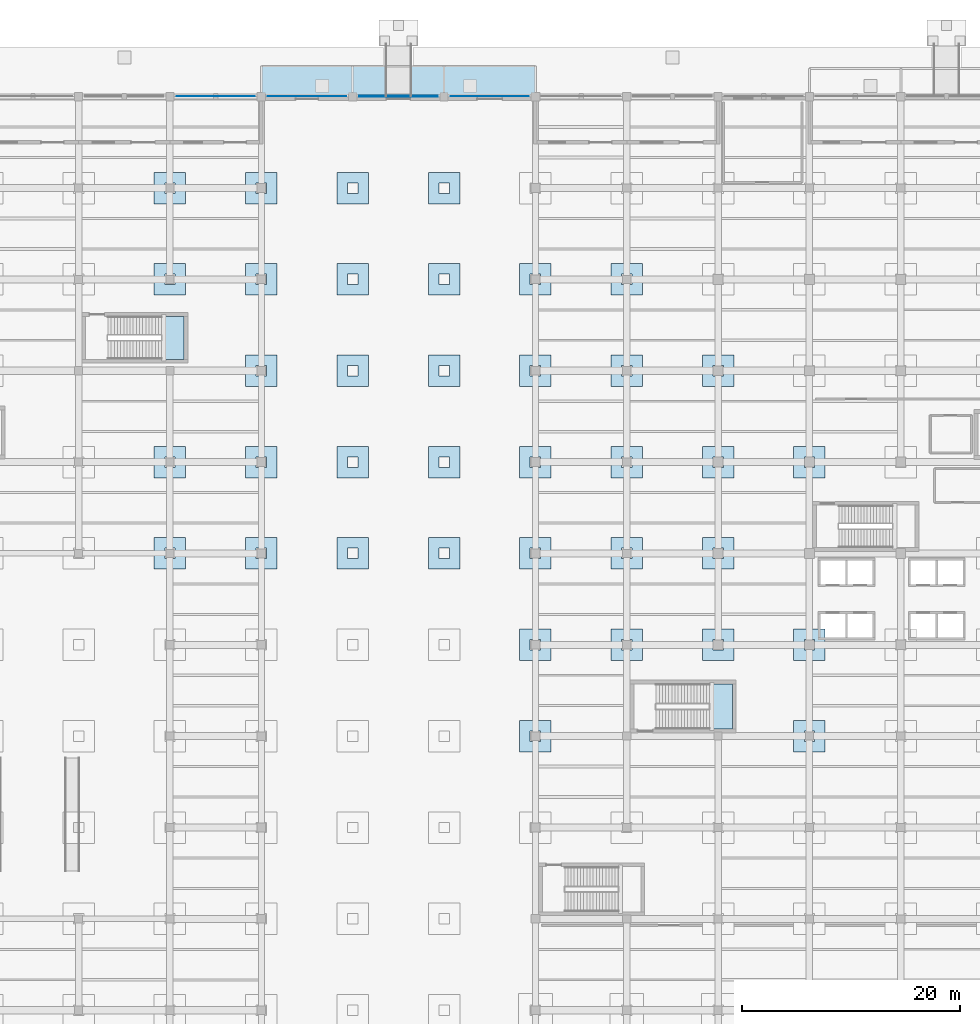
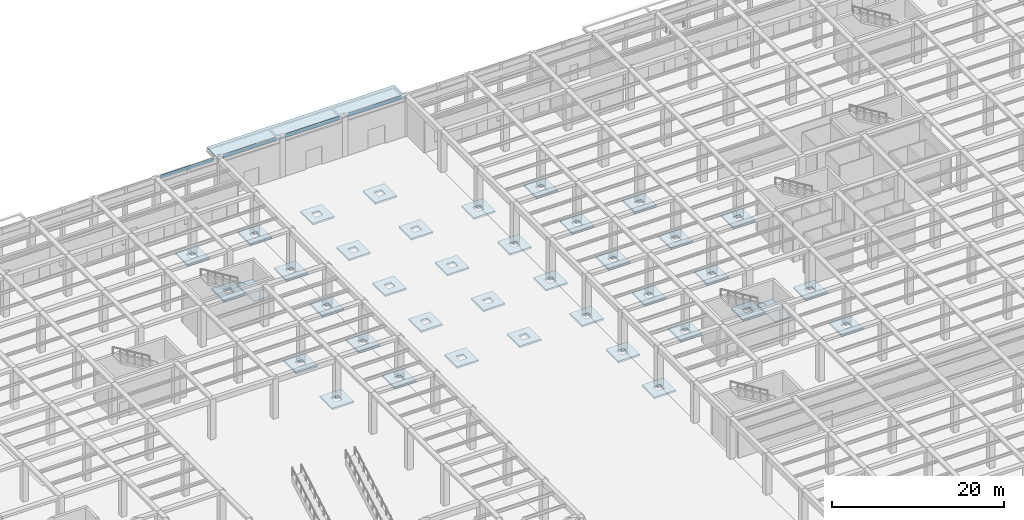
# One storey, part 19 of 43: 40 slabs, 4 plates, 3 elements without a shape of their own.
"""IFC4 building model written with IfcOpenShell, lengths in metres."""

from ifc_helpers import new_model, si_unit, direction, frame, origin, origin_2d, place, context, subcontext, project, spatial, polyline, rectangle, outline, extrude, material, layer, layer_set, type_object, element, aggregate, save


model = new_model("IFC4")

# Units and contexts
model_context = context("Model", 3, precision=1e-05, world=origin(), true_north=direction((0.0, 1.0)))
body_context = subcontext(model_context, "Body", "Model", "MODEL_VIEW")
ifc_project = project(units=[si_unit("LENGTHUNIT", "METRE"), si_unit("AREAUNIT", "SQUARE_METRE"), si_unit("VOLUMEUNIT", "CUBIC_METRE"), si_unit("PLANEANGLEUNIT", "RADIAN"), si_unit("MASSUNIT", "GRAM", prefix="KILO")], contexts=[model_context])

# Site, building, storey
site_placement = place(None, origin())
site = spatial("IfcSite", under=ifc_project, at=site_placement, CompositionType="ELEMENT")
building_placement = place(site_placement, origin())
building = spatial("IfcBuilding", under=site, at=building_placement, Name="Almacenes y Pasaje Nevantli", CompositionType="ELEMENT")
storey_placement = place(building_placement, origin())
storey = spatial("IfcBuildingStorey", under=building, at=storey_placement, Name="L01", CompositionType="ELEMENT", Elevation=0.0)

# Plates
ifc_material_1 = material(Name="Powder-Coated Aluminium Portal Fascia Plate", Category="aluminium")
ifc_layer_1 = layer(ifc_material_1, 0.01611328125)
ifc_layer_set_1 = layer_set([ifc_layer_1], Name="Powder-Coated Aluminium Portal Fascia Plate")
plate_type_1 = type_object("IfcPlateType", Name="PL-FAS-16", PredefinedType="SHEET", material=ifc_layer_set_1)
for number, where, z_axis, x_axis, name in (
    (1, (63.0, 117.639892578125, 5.1748046875), (0.0, 0.0, 1.0), (1.0, 0.0, 0.0), "Boulevard Portales Architectural Frieze Plate #8"),
    (2, (88.199951171875, 117.639892578125, 5.1748046875), (0.0, 0.0, 1.0), (1.0, 0.0, 0.0), "Boulevard Portales Architectural Frieze Plate #11"),
):
    element("IfcPlate", number, at=place(storey_placement, frame(where, z_axis=z_axis, x_axis=x_axis)), inside=storey, type_object=plate_type_1, Name=name, PredefinedType="SHEET", context=body_context, shape_type="SweptSolid", body=[
        extrude(rectangle(XDim=7.199951171875, YDim=0.01611328125, at=origin_2d()), origin(), (0.0, 0.0, 1.0), 0.550048828125),
    ])
ifc_material_2 = material(Name="Brushed Brass Architectural Frieze Plate", Category="metal")
ifc_layer_2 = layer(ifc_material_2, 0.008056640625)
ifc_layer_set_2 = layer_set([ifc_layer_2], Name="Brushed Brass Architectural Frieze Plate")
plate_type_2 = type_object("IfcPlateType", Name="PL-SGN-08", PredefinedType="SHEET", material=ifc_layer_set_2)
plate_1_placement = place(storey_placement, frame((71.39990234375, 117.639892578125, 5.1748046875), z_axis=(0.0, 0.0, 1.0), x_axis=(1.0, 0.0, 0.0)))
element("IfcPlate", 3, at=plate_1_placement, inside=storey, type_object=plate_type_2, Name="Boulevard Portales Architectural Frieze Plate #9", PredefinedType="SHEET", context=body_context, shape_type="SweptSolid", body=[
    extrude(rectangle(XDim=7.199951171875, YDim=0.008056640625, at=origin_2d()), origin(), (0.0, 0.0, 1.0), 0.550048828125),
])
ifc_material_3 = material(Name="Insulated Bronze Aluminium Spandrel Panel", Category="aluminium")
ifc_layer_3 = layer(ifc_material_3, 0.054931640625)
ifc_layer_set_3 = layer_set([ifc_layer_3], Name="Insulated Bronze Aluminium Spandrel Panel")
plate_type_3 = type_object("IfcPlateType", Name="PL-SPN-55", PredefinedType="SHEET", material=ifc_layer_set_3)
plate_2_placement = place(storey_placement, frame((79.800048828125, 117.639892578125, 5.1748046875), z_axis=(0.0, 0.0, 1.0), x_axis=(1.0, 0.0, 0.0)))
element("IfcPlate", 4, at=plate_2_placement, inside=storey, type_object=plate_type_3, Name="Boulevard Portales Architectural Frieze Plate #10", PredefinedType="SHEET", context=body_context, shape_type="SweptSolid", body=[
    extrude(rectangle(XDim=7.199951171875, YDim=0.054931640625, at=origin_2d()), origin(), (0.0, 0.0, 1.0), 0.550048828125),
])

# Roof, slab
ifc_material_4 = material(Name="Concrete C35/45", Category="concrete")
roof_type = type_object("IfcRoofType", Name="ROOF-FLAT-DECK", PredefinedType="FLAT_ROOF", material=ifc_material_4)
roof_placement = place(storey_placement, origin())
roof = element("IfcRoof", 5, at=roof_placement, inside=storey, type_object=roof_type, Name="L01 Boulevard and Dock Canopy Roof cnp-north-portal", PredefinedType="FLAT_ROOF")
ifc_material_5 = material(Name="Architectural Precast Concrete C35/45", Category="concrete")
ifc_layer_4 = layer(ifc_material_5, 0.139892578125)
ifc_layer_set_4 = layer_set([ifc_layer_4], Name="Architectural Precast Concrete C35/45")
slab_type_1 = type_object("IfcSlabType", Name="SLB-CANOPY-140", PredefinedType="ROOF", material=ifc_layer_set_4)
slab_1_placement = place(storey_placement, frame((0.0, 0.0, 5.159912109375)))
slab_1 = element("IfcSlab", 6, at=slab_1_placement, type_object=slab_type_1, Name="Architectural Precast Canopy Deck cnp-north-portal", PredefinedType="ROOF", context=body_context, shape_type="SweptSolid", body=[
    extrude(outline(polyline([(67.199951171875, 117.60009765625), (92.39990234375, 117.60009765625), (92.39990234375, 120.39990234375), (67.199951171875, 120.39990234375), (67.199951171875, 117.60009765625)])), origin(), (0.0, 0.0, 1.0), 0.14013671875),
])
aggregate(roof, [slab_1])

# Slabs
ifc_material_6 = material(Name="Concrete C35/45", Category="concrete")
ifc_layer_5 = layer(ifc_material_6, 0.25)
ifc_layer_set_5 = layer_set([ifc_layer_5], Name="Concrete C35/45")
slab_type_2 = type_object("IfcSlabType", Name="SLB-DP-250", PredefinedType="USERDEFINED", material=ifc_layer_set_5)
slab_2_placement = place(storey_placement, frame((0.0, 0.0, -0.570068359375)))
element("IfcSlab", 7, at=slab_2_placement, inside=storey, type_object=slab_type_2, Name="L01 Punching-Shear Drop Panel DP-02 #262", ObjectType="DROP PANEL", PredefinedType="USERDEFINED", context=body_context, shape_type="SweptSolid", body=[
    extrude(outline(polyline([(57.35009765625, 74.14990234375), (60.25, 74.14990234375), (60.25, 77.050048828125), (57.35009765625, 77.050048828125), (57.35009765625, 74.14990234375)]), holes=[polyline([(58.320068359375, 75.1201171875), (59.280029296875, 75.1201171875), (59.280029296875, 76.080078125), (58.320068359375, 76.080078125), (58.320068359375, 75.1201171875)])]), origin(), (0.0, 0.0, 1.0), 0.25),
])
slab_3_placement = place(storey_placement, frame((0.0, 0.0, -0.570068359375)))
element("IfcSlab", 8, at=slab_3_placement, inside=storey, type_object=slab_type_2, Name="L01 Punching-Shear Drop Panel DP-02 #263", ObjectType="DROP PANEL", PredefinedType="USERDEFINED", context=body_context, shape_type="SweptSolid", body=[
    extrude(outline(polyline([(57.35009765625, 82.550048828125), (60.25, 82.550048828125), (60.25, 85.449951171875), (57.35009765625, 85.449951171875), (57.35009765625, 82.550048828125)]), holes=[polyline([(58.320068359375, 83.52001953125), (59.280029296875, 83.52001953125), (59.280029296875, 84.47998046875), (58.320068359375, 84.47998046875), (58.320068359375, 83.52001953125)])]), origin(), (0.0, 0.0, 1.0), 0.25),
])
slab_4_placement = place(storey_placement, frame((0.0, 0.0, -0.570068359375)))
element("IfcSlab", 9, at=slab_4_placement, inside=storey, type_object=slab_type_2, Name="L01 Punching-Shear Drop Panel DP-02 #264", ObjectType="DROP PANEL", PredefinedType="USERDEFINED", context=body_context, shape_type="SweptSolid", body=[
    extrude(outline(polyline([(57.35009765625, 99.35009765625), (60.25, 99.35009765625), (60.25, 102.25), (57.35009765625, 102.25), (57.35009765625, 99.35009765625)]), holes=[polyline([(58.320068359375, 100.320068359375), (59.280029296875, 100.320068359375), (59.280029296875, 101.280029296875), (58.320068359375, 101.280029296875), (58.320068359375, 100.320068359375)])]), origin(), (0.0, 0.0, 1.0), 0.25),
])
slab_5_placement = place(storey_placement, frame((0.0, 0.0, -0.570068359375)))
element("IfcSlab", 10, at=slab_5_placement, inside=storey, type_object=slab_type_2, Name="L01 Punching-Shear Drop Panel DP-02 #265", ObjectType="DROP PANEL", PredefinedType="USERDEFINED", context=body_context, shape_type="SweptSolid", body=[
    extrude(outline(polyline([(57.35009765625, 107.75), (60.25, 107.75), (60.25, 110.64990234375), (57.35009765625, 110.64990234375), (57.35009765625, 107.75)]), holes=[polyline([(58.320068359375, 108.719970703125), (59.280029296875, 108.719970703125), (59.280029296875, 109.679931640625), (58.320068359375, 109.679931640625), (58.320068359375, 108.719970703125)])]), origin(), (0.0, 0.0, 1.0), 0.25),
])
slab_6_placement = place(storey_placement, frame((0.0, 0.0, -0.570068359375)))
element("IfcSlab", 11, at=slab_6_placement, inside=storey, type_object=slab_type_2, Name="L01 Punching-Shear Drop Panel DP-02 #274", ObjectType="DROP PANEL", PredefinedType="USERDEFINED", context=body_context, shape_type="SweptSolid", body=[
    extrude(outline(polyline([(65.75, 74.14990234375), (68.64990234375, 74.14990234375), (68.64990234375, 77.050048828125), (65.75, 77.050048828125), (65.75, 74.14990234375)]), holes=[polyline([(66.719970703125, 75.1201171875), (67.679931640625, 75.1201171875), (67.679931640625, 76.080078125), (66.719970703125, 76.080078125), (66.719970703125, 75.1201171875)])]), origin(), (0.0, 0.0, 1.0), 0.25),
])
slab_7_placement = place(storey_placement, frame((0.0, 0.0, -0.570068359375)))
element("IfcSlab", 12, at=slab_7_placement, inside=storey, type_object=slab_type_2, Name="L01 Punching-Shear Drop Panel DP-02 #275", ObjectType="DROP PANEL", PredefinedType="USERDEFINED", context=body_context, shape_type="SweptSolid", body=[
    extrude(outline(polyline([(65.75, 82.550048828125), (68.64990234375, 82.550048828125), (68.64990234375, 85.449951171875), (65.75, 85.449951171875), (65.75, 82.550048828125)]), holes=[polyline([(66.719970703125, 83.52001953125), (67.679931640625, 83.52001953125), (67.679931640625, 84.47998046875), (66.719970703125, 84.47998046875), (66.719970703125, 83.52001953125)])]), origin(), (0.0, 0.0, 1.0), 0.25),
])
slab_8_placement = place(storey_placement, frame((0.0, 0.0, -0.570068359375)))
element("IfcSlab", 13, at=slab_8_placement, inside=storey, type_object=slab_type_2, Name="L01 Punching-Shear Drop Panel DP-02 #276", ObjectType="DROP PANEL", PredefinedType="USERDEFINED", context=body_context, shape_type="SweptSolid", body=[
    extrude(outline(polyline([(65.75, 90.949951171875), (68.64990234375, 90.949951171875), (68.64990234375, 93.85009765625), (65.75, 93.85009765625), (65.75, 90.949951171875)]), holes=[polyline([(66.719970703125, 91.919921875), (67.679931640625, 91.919921875), (67.679931640625, 92.8798828125), (66.719970703125, 92.8798828125), (66.719970703125, 91.919921875)])]), origin(), (0.0, 0.0, 1.0), 0.25),
])
slab_9_placement = place(storey_placement, frame((0.0, 0.0, -0.570068359375)))
element("IfcSlab", 14, at=slab_9_placement, inside=storey, type_object=slab_type_2, Name="L01 Punching-Shear Drop Panel DP-02 #277", ObjectType="DROP PANEL", PredefinedType="USERDEFINED", context=body_context, shape_type="SweptSolid", body=[
    extrude(outline(polyline([(65.75, 99.35009765625), (68.64990234375, 99.35009765625), (68.64990234375, 102.25), (65.75, 102.25), (65.75, 99.35009765625)]), holes=[polyline([(66.719970703125, 100.320068359375), (67.679931640625, 100.320068359375), (67.679931640625, 101.280029296875), (66.719970703125, 101.280029296875), (66.719970703125, 100.320068359375)])]), origin(), (0.0, 0.0, 1.0), 0.25),
])
slab_10_placement = place(storey_placement, frame((0.0, 0.0, -0.570068359375)))
element("IfcSlab", 15, at=slab_10_placement, inside=storey, type_object=slab_type_2, Name="L01 Punching-Shear Drop Panel DP-02 #278", ObjectType="DROP PANEL", PredefinedType="USERDEFINED", context=body_context, shape_type="SweptSolid", body=[
    extrude(outline(polyline([(65.75, 107.75), (68.64990234375, 107.75), (68.64990234375, 110.64990234375), (65.75, 110.64990234375), (65.75, 107.75)]), holes=[polyline([(66.719970703125, 108.719970703125), (67.679931640625, 108.719970703125), (67.679931640625, 109.679931640625), (66.719970703125, 109.679931640625), (66.719970703125, 108.719970703125)])]), origin(), (0.0, 0.0, 1.0), 0.25),
])
slab_11_placement = place(storey_placement, frame((0.0, 0.0, -0.570068359375)))
element("IfcSlab", 16, at=slab_11_placement, inside=storey, type_object=slab_type_2, Name="L01 Punching-Shear Drop Panel DP-02 #287", ObjectType="DROP PANEL", PredefinedType="USERDEFINED", context=body_context, shape_type="SweptSolid", body=[
    extrude(outline(polyline([(74.14990234375, 74.14990234375), (77.050048828125, 74.14990234375), (77.050048828125, 77.050048828125), (74.14990234375, 77.050048828125), (74.14990234375, 74.14990234375)]), holes=[polyline([(75.1201171875, 75.1201171875), (76.080078125, 75.1201171875), (76.080078125, 76.080078125), (75.1201171875, 76.080078125), (75.1201171875, 75.1201171875)])]), origin(), (0.0, 0.0, 1.0), 0.25),
])
slab_12_placement = place(storey_placement, frame((0.0, 0.0, -0.570068359375)))
element("IfcSlab", 17, at=slab_12_placement, inside=storey, type_object=slab_type_2, Name="L01 Punching-Shear Drop Panel DP-02 #288", ObjectType="DROP PANEL", PredefinedType="USERDEFINED", context=body_context, shape_type="SweptSolid", body=[
    extrude(outline(polyline([(74.14990234375, 82.550048828125), (77.050048828125, 82.550048828125), (77.050048828125, 85.449951171875), (74.14990234375, 85.449951171875), (74.14990234375, 82.550048828125)]), holes=[polyline([(75.1201171875, 83.52001953125), (76.080078125, 83.52001953125), (76.080078125, 84.47998046875), (75.1201171875, 84.47998046875), (75.1201171875, 83.52001953125)])]), origin(), (0.0, 0.0, 1.0), 0.25),
])
slab_13_placement = place(storey_placement, frame((0.0, 0.0, -0.570068359375)))
element("IfcSlab", 18, at=slab_13_placement, inside=storey, type_object=slab_type_2, Name="L01 Punching-Shear Drop Panel DP-02 #289", ObjectType="DROP PANEL", PredefinedType="USERDEFINED", context=body_context, shape_type="SweptSolid", body=[
    extrude(outline(polyline([(74.14990234375, 90.949951171875), (77.050048828125, 90.949951171875), (77.050048828125, 93.85009765625), (74.14990234375, 93.85009765625), (74.14990234375, 90.949951171875)]), holes=[polyline([(75.1201171875, 91.919921875), (76.080078125, 91.919921875), (76.080078125, 92.8798828125), (75.1201171875, 92.8798828125), (75.1201171875, 91.919921875)])]), origin(), (0.0, 0.0, 1.0), 0.25),
])
slab_14_placement = place(storey_placement, frame((0.0, 0.0, -0.570068359375)))
element("IfcSlab", 19, at=slab_14_placement, inside=storey, type_object=slab_type_2, Name="L01 Punching-Shear Drop Panel DP-02 #290", ObjectType="DROP PANEL", PredefinedType="USERDEFINED", context=body_context, shape_type="SweptSolid", body=[
    extrude(outline(polyline([(74.14990234375, 99.35009765625), (77.050048828125, 99.35009765625), (77.050048828125, 102.25), (74.14990234375, 102.25), (74.14990234375, 99.35009765625)]), holes=[polyline([(75.1201171875, 100.320068359375), (76.080078125, 100.320068359375), (76.080078125, 101.280029296875), (75.1201171875, 101.280029296875), (75.1201171875, 100.320068359375)])]), origin(), (0.0, 0.0, 1.0), 0.25),
])
slab_15_placement = place(storey_placement, frame((0.0, 0.0, -0.570068359375)))
element("IfcSlab", 20, at=slab_15_placement, inside=storey, type_object=slab_type_2, Name="L01 Punching-Shear Drop Panel DP-02 #291", ObjectType="DROP PANEL", PredefinedType="USERDEFINED", context=body_context, shape_type="SweptSolid", body=[
    extrude(outline(polyline([(74.14990234375, 107.75), (77.050048828125, 107.75), (77.050048828125, 110.64990234375), (74.14990234375, 110.64990234375), (74.14990234375, 107.75)]), holes=[polyline([(75.1201171875, 108.719970703125), (76.080078125, 108.719970703125), (76.080078125, 109.679931640625), (75.1201171875, 109.679931640625), (75.1201171875, 108.719970703125)])]), origin(), (0.0, 0.0, 1.0), 0.25),
])
slab_16_placement = place(storey_placement, frame((0.0, 0.0, -0.570068359375)))
element("IfcSlab", 21, at=slab_16_placement, inside=storey, type_object=slab_type_2, Name="L01 Punching-Shear Drop Panel DP-02 #300", ObjectType="DROP PANEL", PredefinedType="USERDEFINED", context=body_context, shape_type="SweptSolid", body=[
    extrude(outline(polyline([(82.550048828125, 74.14990234375), (85.449951171875, 74.14990234375), (85.449951171875, 77.050048828125), (82.550048828125, 77.050048828125), (82.550048828125, 74.14990234375)]), holes=[polyline([(83.52001953125, 75.1201171875), (84.47998046875, 75.1201171875), (84.47998046875, 76.080078125), (83.52001953125, 76.080078125), (83.52001953125, 75.1201171875)])]), origin(), (0.0, 0.0, 1.0), 0.25),
])
slab_17_placement = place(storey_placement, frame((0.0, 0.0, -0.570068359375)))
element("IfcSlab", 22, at=slab_17_placement, inside=storey, type_object=slab_type_2, Name="L01 Punching-Shear Drop Panel DP-02 #301", ObjectType="DROP PANEL", PredefinedType="USERDEFINED", context=body_context, shape_type="SweptSolid", body=[
    extrude(outline(polyline([(82.550048828125, 82.550048828125), (85.449951171875, 82.550048828125), (85.449951171875, 85.449951171875), (82.550048828125, 85.449951171875), (82.550048828125, 82.550048828125)]), holes=[polyline([(83.52001953125, 83.52001953125), (84.47998046875, 83.52001953125), (84.47998046875, 84.47998046875), (83.52001953125, 84.47998046875), (83.52001953125, 83.52001953125)])]), origin(), (0.0, 0.0, 1.0), 0.25),
])
slab_18_placement = place(storey_placement, frame((0.0, 0.0, -0.570068359375)))
element("IfcSlab", 23, at=slab_18_placement, inside=storey, type_object=slab_type_2, Name="L01 Punching-Shear Drop Panel DP-02 #302", ObjectType="DROP PANEL", PredefinedType="USERDEFINED", context=body_context, shape_type="SweptSolid", body=[
    extrude(outline(polyline([(82.550048828125, 90.949951171875), (85.449951171875, 90.949951171875), (85.449951171875, 93.85009765625), (82.550048828125, 93.85009765625), (82.550048828125, 90.949951171875)]), holes=[polyline([(83.52001953125, 91.919921875), (84.47998046875, 91.919921875), (84.47998046875, 92.8798828125), (83.52001953125, 92.8798828125), (83.52001953125, 91.919921875)])]), origin(), (0.0, 0.0, 1.0), 0.25),
])
slab_19_placement = place(storey_placement, frame((0.0, 0.0, -0.570068359375)))
element("IfcSlab", 24, at=slab_19_placement, inside=storey, type_object=slab_type_2, Name="L01 Punching-Shear Drop Panel DP-02 #303", ObjectType="DROP PANEL", PredefinedType="USERDEFINED", context=body_context, shape_type="SweptSolid", body=[
    extrude(outline(polyline([(82.550048828125, 99.35009765625), (85.449951171875, 99.35009765625), (85.449951171875, 102.25), (82.550048828125, 102.25), (82.550048828125, 99.35009765625)]), holes=[polyline([(83.52001953125, 100.320068359375), (84.47998046875, 100.320068359375), (84.47998046875, 101.280029296875), (83.52001953125, 101.280029296875), (83.52001953125, 100.320068359375)])]), origin(), (0.0, 0.0, 1.0), 0.25),
])
slab_20_placement = place(storey_placement, frame((0.0, 0.0, -0.570068359375)))
element("IfcSlab", 25, at=slab_20_placement, inside=storey, type_object=slab_type_2, Name="L01 Punching-Shear Drop Panel DP-02 #304", ObjectType="DROP PANEL", PredefinedType="USERDEFINED", context=body_context, shape_type="SweptSolid", body=[
    extrude(outline(polyline([(82.550048828125, 107.75), (85.449951171875, 107.75), (85.449951171875, 110.64990234375), (82.550048828125, 110.64990234375), (82.550048828125, 107.75)]), holes=[polyline([(83.52001953125, 108.719970703125), (84.47998046875, 108.719970703125), (84.47998046875, 109.679931640625), (83.52001953125, 109.679931640625), (83.52001953125, 108.719970703125)])]), origin(), (0.0, 0.0, 1.0), 0.25),
])
slab_21_placement = place(storey_placement, frame((0.0, 0.0, -0.570068359375)))
element("IfcSlab", 26, at=slab_21_placement, inside=storey, type_object=slab_type_2, Name="L01 Punching-Shear Drop Panel DP-02 #310", ObjectType="DROP PANEL", PredefinedType="USERDEFINED", context=body_context, shape_type="SweptSolid", body=[
    extrude(outline(polyline([(90.949951171875, 57.35009765625), (93.85009765625, 57.35009765625), (93.85009765625, 60.25), (90.949951171875, 60.25), (90.949951171875, 57.35009765625)]), holes=[polyline([(91.919921875, 58.320068359375), (92.8798828125, 58.320068359375), (92.8798828125, 59.280029296875), (91.919921875, 59.280029296875), (91.919921875, 58.320068359375)])]), origin(), (0.0, 0.0, 1.0), 0.25),
])
slab_22_placement = place(storey_placement, frame((0.0, 0.0, -0.570068359375)))
element("IfcSlab", 27, at=slab_22_placement, inside=storey, type_object=slab_type_2, Name="L01 Punching-Shear Drop Panel DP-02 #311", ObjectType="DROP PANEL", PredefinedType="USERDEFINED", context=body_context, shape_type="SweptSolid", body=[
    extrude(outline(polyline([(90.949951171875, 65.75), (93.85009765625, 65.75), (93.85009765625, 68.64990234375), (90.949951171875, 68.64990234375), (90.949951171875, 65.75)]), holes=[polyline([(91.919921875, 66.719970703125), (92.8798828125, 66.719970703125), (92.8798828125, 67.679931640625), (91.919921875, 67.679931640625), (91.919921875, 66.719970703125)])]), origin(), (0.0, 0.0, 1.0), 0.25),
])
slab_23_placement = place(storey_placement, frame((0.0, 0.0, -0.570068359375)))
element("IfcSlab", 28, at=slab_23_placement, inside=storey, type_object=slab_type_2, Name="L01 Punching-Shear Drop Panel DP-02 #312", ObjectType="DROP PANEL", PredefinedType="USERDEFINED", context=body_context, shape_type="SweptSolid", body=[
    extrude(outline(polyline([(90.949951171875, 74.14990234375), (93.85009765625, 74.14990234375), (93.85009765625, 77.050048828125), (90.949951171875, 77.050048828125), (90.949951171875, 74.14990234375)]), holes=[polyline([(91.919921875, 75.1201171875), (92.8798828125, 75.1201171875), (92.8798828125, 76.080078125), (91.919921875, 76.080078125), (91.919921875, 75.1201171875)])]), origin(), (0.0, 0.0, 1.0), 0.25),
])
slab_24_placement = place(storey_placement, frame((0.0, 0.0, -0.570068359375)))
element("IfcSlab", 29, at=slab_24_placement, inside=storey, type_object=slab_type_2, Name="L01 Punching-Shear Drop Panel DP-02 #313", ObjectType="DROP PANEL", PredefinedType="USERDEFINED", context=body_context, shape_type="SweptSolid", body=[
    extrude(outline(polyline([(90.949951171875, 82.550048828125), (93.85009765625, 82.550048828125), (93.85009765625, 85.449951171875), (90.949951171875, 85.449951171875), (90.949951171875, 82.550048828125)]), holes=[polyline([(91.919921875, 83.52001953125), (92.8798828125, 83.52001953125), (92.8798828125, 84.47998046875), (91.919921875, 84.47998046875), (91.919921875, 83.52001953125)])]), origin(), (0.0, 0.0, 1.0), 0.25),
])
slab_25_placement = place(storey_placement, frame((0.0, 0.0, -0.570068359375)))
element("IfcSlab", 30, at=slab_25_placement, inside=storey, type_object=slab_type_2, Name="L01 Punching-Shear Drop Panel DP-02 #314", ObjectType="DROP PANEL", PredefinedType="USERDEFINED", context=body_context, shape_type="SweptSolid", body=[
    extrude(outline(polyline([(90.949951171875, 90.949951171875), (93.85009765625, 90.949951171875), (93.85009765625, 93.85009765625), (90.949951171875, 93.85009765625), (90.949951171875, 90.949951171875)]), holes=[polyline([(91.919921875, 91.919921875), (92.8798828125, 91.919921875), (92.8798828125, 92.8798828125), (91.919921875, 92.8798828125), (91.919921875, 91.919921875)])]), origin(), (0.0, 0.0, 1.0), 0.25),
])
slab_26_placement = place(storey_placement, frame((0.0, 0.0, -0.570068359375)))
element("IfcSlab", 31, at=slab_26_placement, inside=storey, type_object=slab_type_2, Name="L01 Punching-Shear Drop Panel DP-02 #315", ObjectType="DROP PANEL", PredefinedType="USERDEFINED", context=body_context, shape_type="SweptSolid", body=[
    extrude(outline(polyline([(90.949951171875, 99.35009765625), (93.85009765625, 99.35009765625), (93.85009765625, 102.25), (90.949951171875, 102.25), (90.949951171875, 99.35009765625)]), holes=[polyline([(91.919921875, 100.320068359375), (92.8798828125, 100.320068359375), (92.8798828125, 101.280029296875), (91.919921875, 101.280029296875), (91.919921875, 100.320068359375)])]), origin(), (0.0, 0.0, 1.0), 0.25),
])
slab_27_placement = place(storey_placement, frame((0.0, 0.0, -0.570068359375)))
element("IfcSlab", 32, at=slab_27_placement, inside=storey, type_object=slab_type_2, Name="L01 Punching-Shear Drop Panel DP-02 #322", ObjectType="DROP PANEL", PredefinedType="USERDEFINED", context=body_context, shape_type="SweptSolid", body=[
    extrude(outline(polyline([(99.35009765625, 65.75), (102.25, 65.75), (102.25, 68.64990234375), (99.35009765625, 68.64990234375), (99.35009765625, 65.75)]), holes=[polyline([(100.320068359375, 66.719970703125), (101.280029296875, 66.719970703125), (101.280029296875, 67.679931640625), (100.320068359375, 67.679931640625), (100.320068359375, 66.719970703125)])]), origin(), (0.0, 0.0, 1.0), 0.25),
])
slab_28_placement = place(storey_placement, frame((0.0, 0.0, -0.570068359375)))
element("IfcSlab", 33, at=slab_28_placement, inside=storey, type_object=slab_type_2, Name="L01 Punching-Shear Drop Panel DP-02 #323", ObjectType="DROP PANEL", PredefinedType="USERDEFINED", context=body_context, shape_type="SweptSolid", body=[
    extrude(outline(polyline([(99.35009765625, 74.14990234375), (102.25, 74.14990234375), (102.25, 77.050048828125), (99.35009765625, 77.050048828125), (99.35009765625, 74.14990234375)]), holes=[polyline([(100.320068359375, 75.1201171875), (101.280029296875, 75.1201171875), (101.280029296875, 76.080078125), (100.320068359375, 76.080078125), (100.320068359375, 75.1201171875)])]), origin(), (0.0, 0.0, 1.0), 0.25),
])
slab_29_placement = place(storey_placement, frame((0.0, 0.0, -0.570068359375)))
element("IfcSlab", 34, at=slab_29_placement, inside=storey, type_object=slab_type_2, Name="L01 Punching-Shear Drop Panel DP-02 #324", ObjectType="DROP PANEL", PredefinedType="USERDEFINED", context=body_context, shape_type="SweptSolid", body=[
    extrude(outline(polyline([(99.35009765625, 82.550048828125), (102.25, 82.550048828125), (102.25, 85.449951171875), (99.35009765625, 85.449951171875), (99.35009765625, 82.550048828125)]), holes=[polyline([(100.320068359375, 83.52001953125), (101.280029296875, 83.52001953125), (101.280029296875, 84.47998046875), (100.320068359375, 84.47998046875), (100.320068359375, 83.52001953125)])]), origin(), (0.0, 0.0, 1.0), 0.25),
])
slab_30_placement = place(storey_placement, frame((0.0, 0.0, -0.570068359375)))
element("IfcSlab", 35, at=slab_30_placement, inside=storey, type_object=slab_type_2, Name="L01 Punching-Shear Drop Panel DP-02 #325", ObjectType="DROP PANEL", PredefinedType="USERDEFINED", context=body_context, shape_type="SweptSolid", body=[
    extrude(outline(polyline([(99.35009765625, 90.949951171875), (102.25, 90.949951171875), (102.25, 93.85009765625), (99.35009765625, 93.85009765625), (99.35009765625, 90.949951171875)]), holes=[polyline([(100.320068359375, 91.919921875), (101.280029296875, 91.919921875), (101.280029296875, 92.8798828125), (100.320068359375, 92.8798828125), (100.320068359375, 91.919921875)])]), origin(), (0.0, 0.0, 1.0), 0.25),
])
slab_31_placement = place(storey_placement, frame((0.0, 0.0, -0.570068359375)))
element("IfcSlab", 36, at=slab_31_placement, inside=storey, type_object=slab_type_2, Name="L01 Punching-Shear Drop Panel DP-02 #326", ObjectType="DROP PANEL", PredefinedType="USERDEFINED", context=body_context, shape_type="SweptSolid", body=[
    extrude(outline(polyline([(99.35009765625, 99.35009765625), (102.25, 99.35009765625), (102.25, 102.25), (99.35009765625, 102.25), (99.35009765625, 99.35009765625)]), holes=[polyline([(100.320068359375, 100.320068359375), (101.280029296875, 100.320068359375), (101.280029296875, 101.280029296875), (100.320068359375, 101.280029296875), (100.320068359375, 100.320068359375)])]), origin(), (0.0, 0.0, 1.0), 0.25),
])
slab_32_placement = place(storey_placement, frame((0.0, 0.0, -0.570068359375)))
element("IfcSlab", 37, at=slab_32_placement, inside=storey, type_object=slab_type_2, Name="L01 Punching-Shear Drop Panel DP-02 #334", ObjectType="DROP PANEL", PredefinedType="USERDEFINED", context=body_context, shape_type="SweptSolid", body=[
    extrude(outline(polyline([(107.75, 65.75), (110.64990234375, 65.75), (110.64990234375, 68.64990234375), (107.75, 68.64990234375), (107.75, 65.75)]), holes=[polyline([(108.719970703125, 66.719970703125), (109.679931640625, 66.719970703125), (109.679931640625, 67.679931640625), (108.719970703125, 67.679931640625), (108.719970703125, 66.719970703125)])]), origin(), (0.0, 0.0, 1.0), 0.25),
])
slab_33_placement = place(storey_placement, frame((0.0, 0.0, -0.570068359375)))
element("IfcSlab", 38, at=slab_33_placement, inside=storey, type_object=slab_type_2, Name="L01 Punching-Shear Drop Panel DP-02 #335", ObjectType="DROP PANEL", PredefinedType="USERDEFINED", context=body_context, shape_type="SweptSolid", body=[
    extrude(outline(polyline([(107.75, 74.14990234375), (110.64990234375, 74.14990234375), (110.64990234375, 77.050048828125), (107.75, 77.050048828125), (107.75, 74.14990234375)]), holes=[polyline([(108.719970703125, 75.1201171875), (109.679931640625, 75.1201171875), (109.679931640625, 76.080078125), (108.719970703125, 76.080078125), (108.719970703125, 75.1201171875)])]), origin(), (0.0, 0.0, 1.0), 0.25),
])
slab_34_placement = place(storey_placement, frame((0.0, 0.0, -0.570068359375)))
element("IfcSlab", 39, at=slab_34_placement, inside=storey, type_object=slab_type_2, Name="L01 Punching-Shear Drop Panel DP-02 #336", ObjectType="DROP PANEL", PredefinedType="USERDEFINED", context=body_context, shape_type="SweptSolid", body=[
    extrude(outline(polyline([(107.75, 82.550048828125), (110.64990234375, 82.550048828125), (110.64990234375, 85.449951171875), (107.75, 85.449951171875), (107.75, 82.550048828125)]), holes=[polyline([(108.719970703125, 83.52001953125), (109.679931640625, 83.52001953125), (109.679931640625, 84.47998046875), (108.719970703125, 84.47998046875), (108.719970703125, 83.52001953125)])]), origin(), (0.0, 0.0, 1.0), 0.25),
])
slab_35_placement = place(storey_placement, frame((0.0, 0.0, -0.570068359375)))
element("IfcSlab", 40, at=slab_35_placement, inside=storey, type_object=slab_type_2, Name="L01 Punching-Shear Drop Panel DP-02 #337", ObjectType="DROP PANEL", PredefinedType="USERDEFINED", context=body_context, shape_type="SweptSolid", body=[
    extrude(outline(polyline([(107.75, 90.949951171875), (110.64990234375, 90.949951171875), (110.64990234375, 93.85009765625), (107.75, 93.85009765625), (107.75, 90.949951171875)]), holes=[polyline([(108.719970703125, 91.919921875), (109.679931640625, 91.919921875), (109.679931640625, 92.8798828125), (108.719970703125, 92.8798828125), (108.719970703125, 91.919921875)])]), origin(), (0.0, 0.0, 1.0), 0.25),
])
slab_36_placement = place(storey_placement, frame((0.0, 0.0, -0.570068359375)))
element("IfcSlab", 41, at=slab_36_placement, inside=storey, type_object=slab_type_2, Name="L01 Punching-Shear Drop Panel DP-02 #346", ObjectType="DROP PANEL", PredefinedType="USERDEFINED", context=body_context, shape_type="SweptSolid", body=[
    extrude(outline(polyline([(116.14990234375, 57.35009765625), (119.050048828125, 57.35009765625), (119.050048828125, 60.25), (116.14990234375, 60.25), (116.14990234375, 57.35009765625)]), holes=[polyline([(117.1201171875, 58.320068359375), (118.080078125, 58.320068359375), (118.080078125, 59.280029296875), (117.1201171875, 59.280029296875), (117.1201171875, 58.320068359375)])]), origin(), (0.0, 0.0, 1.0), 0.25),
])
slab_37_placement = place(storey_placement, frame((0.0, 0.0, -0.570068359375)))
element("IfcSlab", 42, at=slab_37_placement, inside=storey, type_object=slab_type_2, Name="L01 Punching-Shear Drop Panel DP-02 #347", ObjectType="DROP PANEL", PredefinedType="USERDEFINED", context=body_context, shape_type="SweptSolid", body=[
    extrude(outline(polyline([(116.14990234375, 65.75), (119.050048828125, 65.75), (119.050048828125, 68.64990234375), (116.14990234375, 68.64990234375), (116.14990234375, 65.75)]), holes=[polyline([(117.1201171875, 66.719970703125), (118.080078125, 66.719970703125), (118.080078125, 67.679931640625), (117.1201171875, 67.679931640625), (117.1201171875, 66.719970703125)])]), origin(), (0.0, 0.0, 1.0), 0.25),
])
slab_38_placement = place(storey_placement, frame((0.0, 0.0, -0.570068359375)))
element("IfcSlab", 43, at=slab_38_placement, inside=storey, type_object=slab_type_2, Name="L01 Punching-Shear Drop Panel DP-02 #348", ObjectType="DROP PANEL", PredefinedType="USERDEFINED", context=body_context, shape_type="SweptSolid", body=[
    extrude(outline(polyline([(116.14990234375, 82.550048828125), (119.050048828125, 82.550048828125), (119.050048828125, 85.449951171875), (116.14990234375, 85.449951171875), (116.14990234375, 82.550048828125)]), holes=[polyline([(117.1201171875, 83.52001953125), (118.080078125, 83.52001953125), (118.080078125, 84.47998046875), (117.1201171875, 84.47998046875), (117.1201171875, 83.52001953125)])]), origin(), (0.0, 0.0, 1.0), 0.25),
])

# Stair, slab
ifc_material_7 = material(Name="Concrete C35/45", Category="concrete")
stair_type_1 = type_object("IfcStairType", Name="STR-CORE-1750", PredefinedType="HALF_TURN_STAIR", material=ifc_material_7)
stair_1_placement = place(storey_placement, origin())
stair_1 = element("IfcStair", 44, at=stair_1_placement, inside=storey, type_object=stair_type_1, Name="L01 Staircase ST-05", PredefinedType="HALF_TURN_STAIR")
ifc_material_8 = material(Name="Concrete C35/45", Category="concrete")
ifc_layer_6 = layer(ifc_material_8, 0.199951171875)
ifc_layer_set_6 = layer_set([ifc_layer_6], Name="Concrete C35/45")
slab_type_3 = type_object("IfcSlabType", Name="SLB-LAND-200", PredefinedType="LANDING", material=ifc_layer_set_6)
slab_39_placement = place(storey_placement, frame((0.0, 0.0, 2.800048828125)))
slab_39 = element("IfcSlab", 45, at=slab_39_placement, type_object=slab_type_3, Name="ST-05-L01 landing 1", PredefinedType="LANDING", context=body_context, shape_type="SweptSolid", body=[
    extrude(outline(polyline([(58.014892578125, 93.449951171875), (60.10009765625, 93.449951171875), (60.10009765625, 97.39990234375), (58.014892578125, 97.39990234375), (58.014892578125, 93.449951171875)])), origin(), (0.0, 0.0, 1.0), 0.199951171875),
])
aggregate(stair_1, [slab_39])

ifc_material_9 = material(Name="Concrete C35/45", Category="concrete")
stair_type_2 = type_object("IfcStairType", Name="STR-CORE-1850", PredefinedType="HALF_TURN_STAIR", material=ifc_material_9)
stair_2_placement = place(storey_placement, origin())
stair_2 = element("IfcStair", 46, at=stair_2_placement, inside=storey, type_object=stair_type_2, Name="L01 Staircase ST-13", PredefinedType="HALF_TURN_STAIR")
slab_40_placement = place(storey_placement, frame((0.0, 0.0, 2.800048828125)))
slab_40 = element("IfcSlab", 47, at=slab_40_placement, type_object=slab_type_3, Name="ST-13-L01 landing 1", PredefinedType="LANDING", context=body_context, shape_type="SweptSolid", body=[
    extrude(outline(polyline([(108.4150390625, 59.449951171875), (110.5, 59.449951171875), (110.5, 63.60009765625), (108.4150390625, 63.60009765625), (108.4150390625, 59.449951171875)])), origin(), (0.0, 0.0, 1.0), 0.199951171875),
])
aggregate(stair_2, [slab_40])

save(model, "model.ifc")
